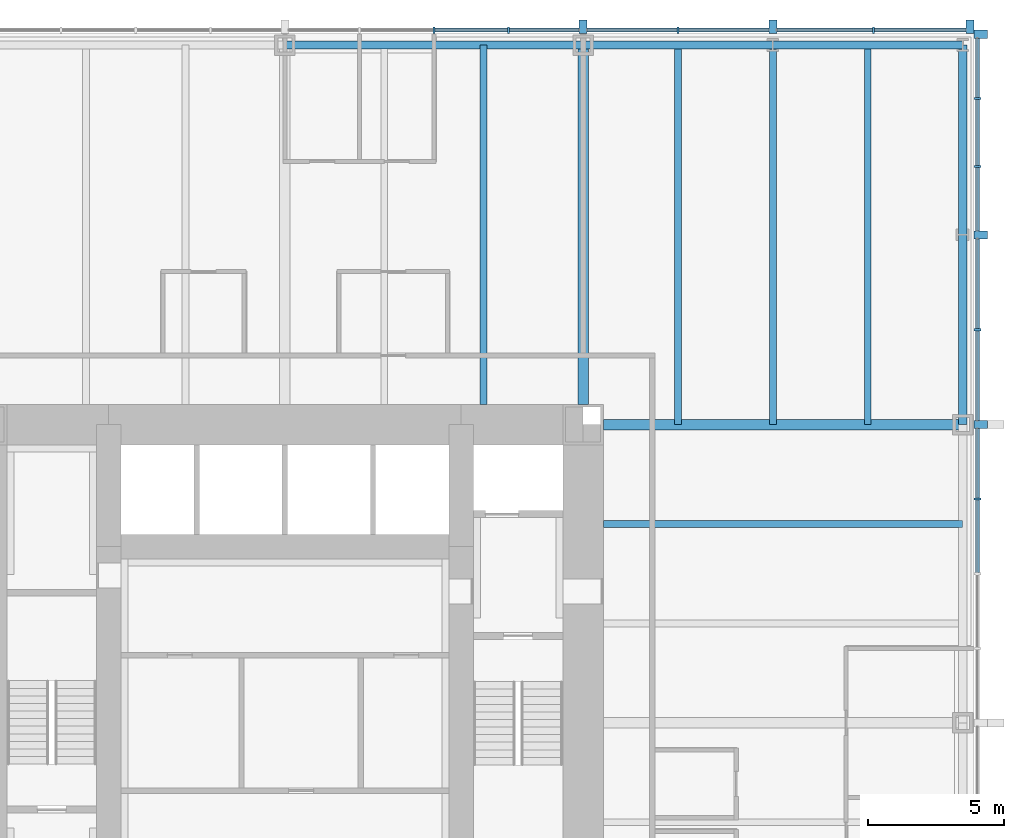
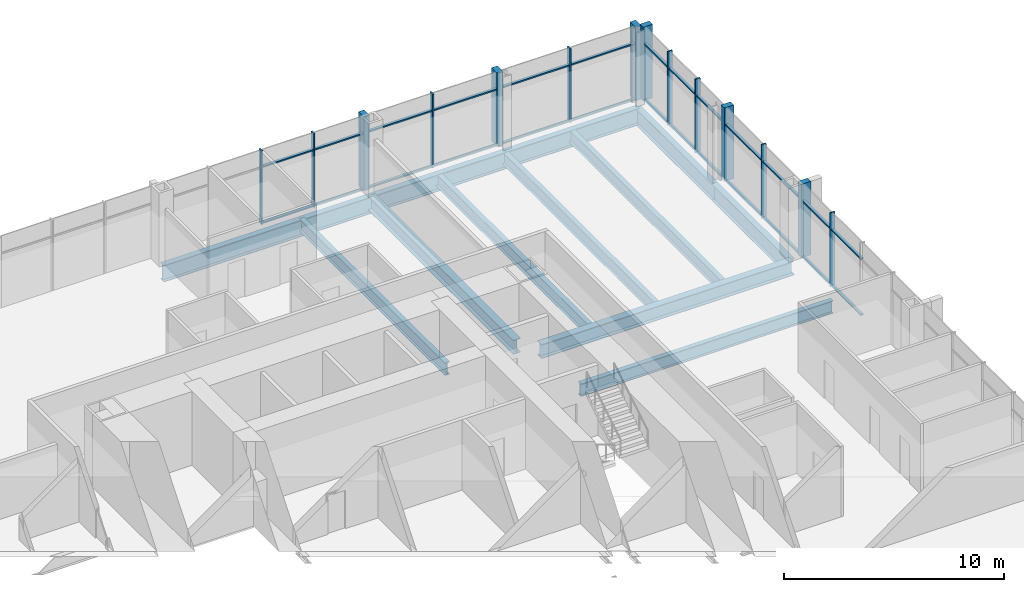
# One storey, part 6 of 12: 40 members, 12 beams, 2 elements without a shape of their own.
"""IFC4 building model written with IfcOpenShell, lengths in metres."""

from ifc_helpers import new_model, si_unit, direction, frame, origin, origin_2d, place, context, subcontext, project, spatial, rectangle, i_section, extrude, material, material_profile, profile_set, type_object, element, aggregate, save


model = new_model("IFC4")

# Units and contexts
model_context = context("Model", 3, precision=1e-05, world=origin(), true_north=direction((0.0, 1.0)))
body_context = subcontext(model_context, "Body", "Model", "MODEL_VIEW")
ifc_project = project(units=[si_unit("LENGTHUNIT", "METRE"), si_unit("AREAUNIT", "SQUARE_METRE"), si_unit("VOLUMEUNIT", "CUBIC_METRE"), si_unit("PLANEANGLEUNIT", "RADIAN"), si_unit("MASSUNIT", "GRAM", prefix="KILO")], contexts=[model_context])

# Site, building, storey
site_placement = place(None, origin())
site = spatial("IfcSite", under=ifc_project, at=site_placement, CompositionType="ELEMENT")
building_placement = place(site_placement, origin())
building = spatial("IfcBuilding", under=site, at=building_placement, Name="Trevanion Tower", CompositionType="ELEMENT")
storey_placement = place(building_placement, frame((0.0, 0.0, 28.300048828125)))
storey = spatial("IfcBuildingStorey", under=building, at=storey_placement, Name="L06", CompositionType="ELEMENT", Elevation=28.300048828125)

# Beams
ifc_material_1 = material(Name="Steel ASTM A992 Grade 50", Category="steel")
ifc_material_profile_1 = material_profile(ifc_material_1, i_section(OverallWidth=0.25390625, OverallDepth=0.700927734375, WebThickness=0.015380859375, FlangeThickness=0.02783203125, at=origin_2d()), Name="W27X129")
ifc_profile_set_1 = profile_set([ifc_material_profile_1], Name="Steel ASTM A992 Grade 50")
beam_type_1 = type_object("IfcBeamType", Name="B3 W27X129", PredefinedType="BEAM", material=ifc_profile_set_1)
for number, where, z_axis, x_axis, name in (
    (1, (11.75, 7.333251953125, -0.54052734375), (1.0, 0.0, 0.0), (0.0, 1.0, 0.0), "B3 L06"),
    (2, (7.333251953125, 11.75, -0.54052734375), (0.0, 1.0, 0.0), (-1.0, 0.0, 0.0), "B3 L06"),
):
    element("IfcBeam", number, at=place(storey_placement, frame(where, z_axis=z_axis, x_axis=x_axis)), inside=storey, type_object=beam_type_1, Name=name, PredefinedType="BEAM", context=body_context, shape_type="SweptSolid", body=[
        extrude(i_section(OverallWidth=0.25390625, OverallDepth=0.700927734375, WebThickness=0.015380859375, FlangeThickness=0.02783203125, at=origin_2d()), origin(), (0.0, 0.0, 1.0), 13.25),
    ])
ifc_material_2 = material(Name="Steel ASTM A992 Grade 50", Category="steel")
ifc_material_profile_2 = material_profile(ifc_material_2, i_section(OverallWidth=0.256591796875, OverallDepth=0.693359375, WebThickness=0.014404296875, FlangeThickness=0.023681640625, at=origin_2d()), Name="W27X114")
ifc_profile_set_2 = profile_set([ifc_material_profile_2], Name="Steel ASTM A992 Grade 50")
beam_type_2 = type_object("IfcBeamType", Name="B4 W27X114", PredefinedType="BEAM", material=ifc_profile_set_2)
for number, where, z_axis, x_axis, name in (
    (3, (14.5, 11.0, -0.536865234375), (0.0, 1.0, 0.0), (-1.0, 0.0, 0.0), "B4 L06"),
    (4, (18.0, 11.0, -0.536865234375), (0.0, 1.0, 0.0), (-1.0, 0.0, 0.0), "B4 L06"),
    (5, (21.5, 11.0, -0.536865234375), (0.0, 1.0, 0.0), (-1.0, 0.0, 0.0), "B4 L06"),
):
    element("IfcBeam", number, at=place(storey_placement, frame(where, z_axis=z_axis, x_axis=x_axis)), inside=storey, type_object=beam_type_2, Name=name, PredefinedType="BEAM", context=body_context, shape_type="SweptSolid", body=[
        extrude(i_section(OverallWidth=0.256591796875, OverallDepth=0.693359375, WebThickness=0.014404296875, FlangeThickness=0.023681640625, at=origin_2d()), origin(), (0.0, 0.0, 1.0), 14.0),
    ])

# Curtain wall, members
ifc_material_3 = material(Name="Aluminium and glass", Category="aluminium")
curtain_wall_type = type_object("IfcCurtainWallType", Name="CW1 curtain wall", PredefinedType="USERDEFINED", material=ifc_material_3)
curtain_wall_1_placement = place(storey_placement, origin())
curtain_wall_1 = element("IfcCurtainWall", 6, at=curtain_wall_1_placement, inside=storey, type_object=curtain_wall_type, Name="CW1 L06 0", ObjectType="UNITISED CURTAIN WALL", PredefinedType="USERDEFINED")
ifc_material_4 = material(Name="Aluminium extrusion, anodised bronze", Category="aluminium")
ifc_material_profile_3 = material_profile(ifc_material_4, rectangle(XDim=0.074951171875, YDim=0.25, at=origin_2d()), Name="CW1 mullion")
ifc_profile_set_3 = profile_set([ifc_material_profile_3], Name="Aluminium extrusion, anodised bronze")
member_type_1 = type_object("IfcMemberType", Name="CW1 mullion", PredefinedType="MULLION", material=ifc_profile_set_3)
member_1_placement = place(storey_placement, frame((25.550048828125, 8.25, -0.18994140625), z_axis=(0.0, 0.0, 1.0), x_axis=(0.0, 1.0, 0.0)))
member_1 = element("IfcMember", 7, at=member_1_placement, type_object=member_type_1, Name="CW1 mullion 12", PredefinedType="MULLION", context=body_context, shape_type="SweptSolid", body=[
    extrude(rectangle(XDim=0.074951171875, YDim=0.25, at=origin_2d()), origin(), (0.0, 0.0, 1.0), 4.099853515625),
])
member_2_placement = place(storey_placement, frame((25.550048828125, 14.5, -0.18994140625), z_axis=(0.0, 0.0, 1.0), x_axis=(0.0, 1.0, 0.0)))
member_2 = element("IfcMember", 8, at=member_2_placement, type_object=member_type_1, Name="CW1 mullion 14", PredefinedType="MULLION", context=body_context, shape_type="SweptSolid", body=[
    extrude(rectangle(XDim=0.074951171875, YDim=0.25, at=origin_2d()), origin(), (0.0, 0.0, 1.0), 4.099853515625),
])
member_3_placement = place(storey_placement, frame((25.550048828125, 20.5166015625, -0.18994140625), z_axis=(0.0, 0.0, 1.0), x_axis=(0.0, 1.0, 0.0)))
member_3 = element("IfcMember", 9, at=member_3_placement, type_object=member_type_1, Name="CW1 mullion 16", PredefinedType="MULLION", context=body_context, shape_type="SweptSolid", body=[
    extrude(rectangle(XDim=0.074951171875, YDim=0.25, at=origin_2d()), origin(), (0.0, 0.0, 1.0), 4.099853515625),
])
member_4_placement = place(storey_placement, frame((25.550048828125, 23.033203125, -0.18994140625), z_axis=(0.0, 0.0, 1.0), x_axis=(0.0, 1.0, 0.0)))
member_4 = element("IfcMember", 10, at=member_4_placement, type_object=member_type_1, Name="CW1 mullion 17", PredefinedType="MULLION", context=body_context, shape_type="SweptSolid", body=[
    extrude(rectangle(XDim=0.074951171875, YDim=0.25, at=origin_2d()), origin(), (0.0, 0.0, 1.0), 4.099853515625),
])

curtain_wall_2_placement = place(storey_placement, origin())
curtain_wall_2 = element("IfcCurtainWall", 11, at=curtain_wall_2_placement, inside=storey, type_object=curtain_wall_type, Name="CW1 L06 1", ObjectType="UNITISED CURTAIN WALL", PredefinedType="USERDEFINED")
member_5_placement = place(storey_placement, frame((21.7099609375, 25.550048828125, -0.18994140625), z_axis=(0.0, 0.0, 1.0), x_axis=(-1.0, 0.0, 0.0)))
member_5 = element("IfcMember", 12, at=member_5_placement, type_object=member_type_1, Name="CW1 mullion 2", PredefinedType="MULLION", context=body_context, shape_type="SweptSolid", body=[
    extrude(rectangle(XDim=0.074951171875, YDim=0.25, at=origin_2d()), origin(), (0.0, 0.0, 1.0), 4.099853515625),
])
member_6_placement = place(storey_placement, frame((14.5, 25.550048828125, -0.18994140625), z_axis=(0.0, 0.0, 1.0), x_axis=(-1.0, 0.0, 0.0)))
member_6 = element("IfcMember", 13, at=member_6_placement, type_object=member_type_1, Name="CW1 mullion 4", PredefinedType="MULLION", context=body_context, shape_type="SweptSolid", body=[
    extrude(rectangle(XDim=0.074951171875, YDim=0.25, at=origin_2d()), origin(), (0.0, 0.0, 1.0), 4.099853515625),
])
member_7_placement = place(storey_placement, frame((8.25, 25.550048828125, -0.18994140625), z_axis=(0.0, 0.0, 1.0), x_axis=(-1.0, 0.0, 0.0)))
member_7 = element("IfcMember", 14, at=member_7_placement, type_object=member_type_1, Name="CW1 mullion 6", PredefinedType="MULLION", context=body_context, shape_type="SweptSolid", body=[
    extrude(rectangle(XDim=0.074951171875, YDim=0.25, at=origin_2d()), origin(), (0.0, 0.0, 1.0), 4.099853515625),
])
member_8_placement = place(storey_placement, frame((5.5, 25.550048828125, -0.18994140625), z_axis=(0.0, 0.0, 1.0), x_axis=(-1.0, 0.0, 0.0)))
member_8 = element("IfcMember", 15, at=member_8_placement, type_object=member_type_1, Name="CW1 mullion 7", PredefinedType="MULLION", context=body_context, shape_type="SweptSolid", body=[
    extrude(rectangle(XDim=0.074951171875, YDim=0.25, at=origin_2d()), origin(), (0.0, 0.0, 1.0), 4.099853515625),
])

# Member
ifc_material_5 = material(Name="Aluminium extrusion, anodised bronze", Category="aluminium")
ifc_material_profile_4 = material_profile(ifc_material_5, rectangle(XDim=0.300048828125, YDim=0.5, at=origin_2d()), Name="CW1 pier mullion")
ifc_profile_set_4 = profile_set([ifc_material_profile_4], Name="Aluminium extrusion, anodised bronze")
member_type_2 = type_object("IfcMemberType", Name="CW1 pier mullion", PredefinedType="MULLION", material=ifc_profile_set_4)
member_9_placement = place(storey_placement, frame((25.675048828125, 11.0, -0.18994140625), z_axis=(0.0, 0.0, 1.0), x_axis=(0.0, 1.0, 0.0)))
member_9 = element("IfcMember", 16, at=member_9_placement, type_object=member_type_2, Name="CW1 pier mullion 13", PredefinedType="MULLION", context=body_context, shape_type="SweptSolid", body=[
    extrude(rectangle(XDim=0.300048828125, YDim=0.5, at=origin_2d()), origin(), (0.0, 0.0, 1.0), 4.099853515625),
])

member_10_placement = place(storey_placement, frame((25.675048828125, 18.0, -0.18994140625), z_axis=(0.0, 0.0, 1.0), x_axis=(0.0, 1.0, 0.0)))
member_10 = element("IfcMember", 17, at=member_10_placement, type_object=member_type_2, Name="CW1 pier mullion 15", PredefinedType="MULLION", context=body_context, shape_type="SweptSolid", body=[
    extrude(rectangle(XDim=0.300048828125, YDim=0.5, at=origin_2d()), origin(), (0.0, 0.0, 1.0), 4.099853515625),
])

member_11_placement = place(storey_placement, frame((25.675048828125, 25.39990234375, -0.18994140625), z_axis=(0.0, 0.0, 1.0), x_axis=(0.0, 1.0, 0.0)))
member_11 = element("IfcMember", 18, at=member_11_placement, type_object=member_type_2, Name="CW1 pier mullion 18", PredefinedType="MULLION", context=body_context, shape_type="SweptSolid", body=[
    extrude(rectangle(XDim=0.300048828125, YDim=0.5, at=origin_2d()), origin(), (0.0, 0.0, 1.0), 4.099853515625),
])

member_12_placement = place(storey_placement, frame((25.27001953125, 25.675048828125, -0.18994140625), z_axis=(0.0, 0.0, 1.0), x_axis=(-1.0, 0.0, 0.0)))
member_12 = element("IfcMember", 19, at=member_12_placement, type_object=member_type_2, Name="CW1 pier mullion 1", PredefinedType="MULLION", context=body_context, shape_type="SweptSolid", body=[
    extrude(rectangle(XDim=0.300048828125, YDim=0.5, at=origin_2d()), origin(), (0.0, 0.0, 1.0), 4.099853515625),
])

member_13_placement = place(storey_placement, frame((18.0, 25.675048828125, -0.18994140625), z_axis=(0.0, 0.0, 1.0), x_axis=(-1.0, 0.0, 0.0)))
member_13 = element("IfcMember", 20, at=member_13_placement, type_object=member_type_2, Name="CW1 pier mullion 3", PredefinedType="MULLION", context=body_context, shape_type="SweptSolid", body=[
    extrude(rectangle(XDim=0.300048828125, YDim=0.5, at=origin_2d()), origin(), (0.0, 0.0, 1.0), 4.099853515625),
])

member_14_placement = place(storey_placement, frame((11.0, 25.675048828125, -0.18994140625), z_axis=(0.0, 0.0, 1.0), x_axis=(-1.0, 0.0, 0.0)))
member_14 = element("IfcMember", 21, at=member_14_placement, type_object=member_type_2, Name="CW1 pier mullion 5", PredefinedType="MULLION", context=body_context, shape_type="SweptSolid", body=[
    extrude(rectangle(XDim=0.300048828125, YDim=0.5, at=origin_2d()), origin(), (0.0, 0.0, 1.0), 4.099853515625),
])

ifc_material_6 = material(Name="Aluminium extrusion, anodised bronze", Category="aluminium")
ifc_material_profile_5 = material_profile(ifc_material_6, rectangle(XDim=0.14990234375, YDim=0.074951171875, at=origin_2d()), Name="CW1 transom")
ifc_profile_set_5 = profile_set([ifc_material_profile_5], Name="Aluminium extrusion, anodised bronze")
member_type_3 = type_object("IfcMemberType", Name="CW1 transom", PredefinedType="USERDEFINED", material=ifc_profile_set_5)
member_15_placement = place(storey_placement, frame((25.550048828125, 5.53759765625, -0.152587890625), z_axis=(0.0, 1.0, 0.0), x_axis=(-1.0, 0.0, 0.0)))
member_15 = element("IfcMember", 22, at=member_15_placement, type_object=member_type_3, Name="CW1 transom 11.1", ObjectType="TRANSOM", PredefinedType="USERDEFINED", context=body_context, shape_type="SweptSolid", body=[
    extrude(rectangle(XDim=0.14990234375, YDim=0.074951171875, at=origin_2d()), origin(), (0.0, 0.0, 1.0), 2.6748046875),
])

member_16_placement = place(storey_placement, frame((25.550048828125, 5.53759765625, 2.9599609375), z_axis=(0.0, 1.0, 0.0), x_axis=(-1.0, 0.0, 0.0)))
member_16 = element("IfcMember", 23, at=member_16_placement, type_object=member_type_3, Name="CW1 transom 11.2", ObjectType="TRANSOM", PredefinedType="USERDEFINED", context=body_context, shape_type="SweptSolid", body=[
    extrude(rectangle(XDim=0.14990234375, YDim=0.074951171875, at=origin_2d()), origin(), (0.0, 0.0, 1.0), 2.6748046875),
])

member_17_placement = place(storey_placement, frame((25.550048828125, 8.28759765625, -0.152587890625), z_axis=(0.0, 1.0, 0.0), x_axis=(-1.0, 0.0, 0.0)))
member_17 = element("IfcMember", 24, at=member_17_placement, type_object=member_type_3, Name="CW1 transom 12.1", ObjectType="TRANSOM", PredefinedType="USERDEFINED", context=body_context, shape_type="SweptSolid", body=[
    extrude(rectangle(XDim=0.14990234375, YDim=0.074951171875, at=origin_2d()), origin(), (0.0, 0.0, 1.0), 2.5625),
])

member_18_placement = place(storey_placement, frame((25.550048828125, 8.28759765625, 2.9599609375), z_axis=(0.0, 1.0, 0.0), x_axis=(-1.0, 0.0, 0.0)))
member_18 = element("IfcMember", 25, at=member_18_placement, type_object=member_type_3, Name="CW1 transom 12.2", ObjectType="TRANSOM", PredefinedType="USERDEFINED", context=body_context, shape_type="SweptSolid", body=[
    extrude(rectangle(XDim=0.14990234375, YDim=0.074951171875, at=origin_2d()), origin(), (0.0, 0.0, 1.0), 2.5625),
])

member_19_placement = place(storey_placement, frame((25.550048828125, 11.14990234375, -0.152587890625), z_axis=(0.0, 1.0, 0.0), x_axis=(-1.0, 0.0, 0.0)))
member_19 = element("IfcMember", 26, at=member_19_placement, type_object=member_type_3, Name="CW1 transom 13.1", ObjectType="TRANSOM", PredefinedType="USERDEFINED", context=body_context, shape_type="SweptSolid", body=[
    extrude(rectangle(XDim=0.14990234375, YDim=0.074951171875, at=origin_2d()), origin(), (0.0, 0.0, 1.0), 3.3125),
])

member_20_placement = place(storey_placement, frame((25.550048828125, 11.14990234375, 2.9599609375), z_axis=(0.0, 1.0, 0.0), x_axis=(-1.0, 0.0, 0.0)))
member_20 = element("IfcMember", 27, at=member_20_placement, type_object=member_type_3, Name="CW1 transom 13.2", ObjectType="TRANSOM", PredefinedType="USERDEFINED", context=body_context, shape_type="SweptSolid", body=[
    extrude(rectangle(XDim=0.14990234375, YDim=0.074951171875, at=origin_2d()), origin(), (0.0, 0.0, 1.0), 3.3125),
])

member_21_placement = place(storey_placement, frame((25.550048828125, 14.53759765625, -0.152587890625), z_axis=(0.0, 1.0, 0.0), x_axis=(-1.0, 0.0, 0.0)))
member_21 = element("IfcMember", 28, at=member_21_placement, type_object=member_type_3, Name="CW1 transom 14.1", ObjectType="TRANSOM", PredefinedType="USERDEFINED", context=body_context, shape_type="SweptSolid", body=[
    extrude(rectangle(XDim=0.14990234375, YDim=0.074951171875, at=origin_2d()), origin(), (0.0, 0.0, 1.0), 3.3125),
])

member_22_placement = place(storey_placement, frame((25.550048828125, 14.53759765625, 2.9599609375), z_axis=(0.0, 1.0, 0.0), x_axis=(-1.0, 0.0, 0.0)))
member_22 = element("IfcMember", 29, at=member_22_placement, type_object=member_type_3, Name="CW1 transom 14.2", ObjectType="TRANSOM", PredefinedType="USERDEFINED", context=body_context, shape_type="SweptSolid", body=[
    extrude(rectangle(XDim=0.14990234375, YDim=0.074951171875, at=origin_2d()), origin(), (0.0, 0.0, 1.0), 3.3125),
])

member_23_placement = place(storey_placement, frame((25.550048828125, 18.14990234375, -0.152587890625), z_axis=(0.0, 1.0, 0.0), x_axis=(-1.0, 0.0, 0.0)))
member_23 = element("IfcMember", 30, at=member_23_placement, type_object=member_type_3, Name="CW1 transom 15.1", ObjectType="TRANSOM", PredefinedType="USERDEFINED", context=body_context, shape_type="SweptSolid", body=[
    extrude(rectangle(XDim=0.14990234375, YDim=0.074951171875, at=origin_2d()), origin(), (0.0, 0.0, 1.0), 2.329345703125),
])

member_24_placement = place(storey_placement, frame((25.550048828125, 18.14990234375, 2.9599609375), z_axis=(0.0, 1.0, 0.0), x_axis=(-1.0, 0.0, 0.0)))
member_24 = element("IfcMember", 31, at=member_24_placement, type_object=member_type_3, Name="CW1 transom 15.2", ObjectType="TRANSOM", PredefinedType="USERDEFINED", context=body_context, shape_type="SweptSolid", body=[
    extrude(rectangle(XDim=0.14990234375, YDim=0.074951171875, at=origin_2d()), origin(), (0.0, 0.0, 1.0), 2.329345703125),
])

member_25_placement = place(storey_placement, frame((25.550048828125, 20.55419921875, -0.152587890625), z_axis=(0.0, 1.0, 0.0), x_axis=(-1.0, 0.0, 0.0)))
member_25 = element("IfcMember", 32, at=member_25_placement, type_object=member_type_3, Name="CW1 transom 16.1", ObjectType="TRANSOM", PredefinedType="USERDEFINED", context=body_context, shape_type="SweptSolid", body=[
    extrude(rectangle(XDim=0.14990234375, YDim=0.074951171875, at=origin_2d()), origin(), (0.0, 0.0, 1.0), 2.441650390625),
])

member_26_placement = place(storey_placement, frame((25.550048828125, 20.55419921875, 2.9599609375), z_axis=(0.0, 1.0, 0.0), x_axis=(-1.0, 0.0, 0.0)))
member_26 = element("IfcMember", 33, at=member_26_placement, type_object=member_type_3, Name="CW1 transom 16.2", ObjectType="TRANSOM", PredefinedType="USERDEFINED", context=body_context, shape_type="SweptSolid", body=[
    extrude(rectangle(XDim=0.14990234375, YDim=0.074951171875, at=origin_2d()), origin(), (0.0, 0.0, 1.0), 2.441650390625),
])

member_27_placement = place(storey_placement, frame((25.550048828125, 23.07080078125, -0.152587890625), z_axis=(0.0, 1.0, 0.0), x_axis=(-1.0, 0.0, 0.0)))
member_27 = element("IfcMember", 34, at=member_27_placement, type_object=member_type_3, Name="CW1 transom 17.1", ObjectType="TRANSOM", PredefinedType="USERDEFINED", context=body_context, shape_type="SweptSolid", body=[
    extrude(rectangle(XDim=0.14990234375, YDim=0.074951171875, at=origin_2d()), origin(), (0.0, 0.0, 1.0), 2.17919921875),
])

member_28_placement = place(storey_placement, frame((25.550048828125, 23.07080078125, 2.9599609375), z_axis=(0.0, 1.0, 0.0), x_axis=(-1.0, 0.0, 0.0)))
member_28 = element("IfcMember", 35, at=member_28_placement, type_object=member_type_3, Name="CW1 transom 17.2", ObjectType="TRANSOM", PredefinedType="USERDEFINED", context=body_context, shape_type="SweptSolid", body=[
    extrude(rectangle(XDim=0.14990234375, YDim=0.074951171875, at=origin_2d()), origin(), (0.0, 0.0, 1.0), 2.17919921875),
])

aggregate(curtain_wall_1, [member_1, member_9, member_2, member_10, member_3, member_4, member_11, member_15, member_16, member_17, member_18, member_19, member_20, member_21, member_22, member_23, member_24, member_25, member_26, member_27, member_28])

member_29_placement = place(storey_placement, frame((25.1201171875, 25.550048828125, -0.152587890625), z_axis=(-1.0, 0.0, 0.0), x_axis=(0.0, -1.0, 0.0)))
member_29 = element("IfcMember", 36, at=member_29_placement, type_object=member_type_3, Name="CW1 transom 1.1", ObjectType="TRANSOM", PredefinedType="USERDEFINED", context=body_context, shape_type="SweptSolid", body=[
    extrude(rectangle(XDim=0.14990234375, YDim=0.074951171875, at=origin_2d()), origin(), (0.0, 0.0, 1.0), 3.37255859375),
])

member_30_placement = place(storey_placement, frame((25.1201171875, 25.550048828125, 2.9599609375), z_axis=(-1.0, 0.0, 0.0), x_axis=(0.0, -1.0, 0.0)))
member_30 = element("IfcMember", 37, at=member_30_placement, type_object=member_type_3, Name="CW1 transom 1.2", ObjectType="TRANSOM", PredefinedType="USERDEFINED", context=body_context, shape_type="SweptSolid", body=[
    extrude(rectangle(XDim=0.14990234375, YDim=0.074951171875, at=origin_2d()), origin(), (0.0, 0.0, 1.0), 3.37255859375),
])

member_31_placement = place(storey_placement, frame((21.672607421875, 25.550048828125, -0.152587890625), z_axis=(-1.0, 0.0, 0.0), x_axis=(0.0, -1.0, 0.0)))
member_31 = element("IfcMember", 38, at=member_31_placement, type_object=member_type_3, Name="CW1 transom 2.1", ObjectType="TRANSOM", PredefinedType="USERDEFINED", context=body_context, shape_type="SweptSolid", body=[
    extrude(rectangle(XDim=0.14990234375, YDim=0.074951171875, at=origin_2d()), origin(), (0.0, 0.0, 1.0), 3.522705078125),
])

member_32_placement = place(storey_placement, frame((21.672607421875, 25.550048828125, 2.9599609375), z_axis=(-1.0, 0.0, 0.0), x_axis=(0.0, -1.0, 0.0)))
member_32 = element("IfcMember", 39, at=member_32_placement, type_object=member_type_3, Name="CW1 transom 2.2", ObjectType="TRANSOM", PredefinedType="USERDEFINED", context=body_context, shape_type="SweptSolid", body=[
    extrude(rectangle(XDim=0.14990234375, YDim=0.074951171875, at=origin_2d()), origin(), (0.0, 0.0, 1.0), 3.522705078125),
])

member_33_placement = place(storey_placement, frame((17.85009765625, 25.550048828125, -0.152587890625), z_axis=(-1.0, 0.0, 0.0), x_axis=(0.0, -1.0, 0.0)))
member_33 = element("IfcMember", 40, at=member_33_placement, type_object=member_type_3, Name="CW1 transom 3.1", ObjectType="TRANSOM", PredefinedType="USERDEFINED", context=body_context, shape_type="SweptSolid", body=[
    extrude(rectangle(XDim=0.14990234375, YDim=0.074951171875, at=origin_2d()), origin(), (0.0, 0.0, 1.0), 3.3125),
])

member_34_placement = place(storey_placement, frame((17.85009765625, 25.550048828125, 2.9599609375), z_axis=(-1.0, 0.0, 0.0), x_axis=(0.0, -1.0, 0.0)))
member_34 = element("IfcMember", 41, at=member_34_placement, type_object=member_type_3, Name="CW1 transom 3.2", ObjectType="TRANSOM", PredefinedType="USERDEFINED", context=body_context, shape_type="SweptSolid", body=[
    extrude(rectangle(XDim=0.14990234375, YDim=0.074951171875, at=origin_2d()), origin(), (0.0, 0.0, 1.0), 3.3125),
])

member_35_placement = place(storey_placement, frame((14.46240234375, 25.550048828125, -0.152587890625), z_axis=(-1.0, 0.0, 0.0), x_axis=(0.0, -1.0, 0.0)))
member_35 = element("IfcMember", 42, at=member_35_placement, type_object=member_type_3, Name="CW1 transom 4.1", ObjectType="TRANSOM", PredefinedType="USERDEFINED", context=body_context, shape_type="SweptSolid", body=[
    extrude(rectangle(XDim=0.14990234375, YDim=0.074951171875, at=origin_2d()), origin(), (0.0, 0.0, 1.0), 3.3125),
])

member_36_placement = place(storey_placement, frame((14.46240234375, 25.550048828125, 2.9599609375), z_axis=(-1.0, 0.0, 0.0), x_axis=(0.0, -1.0, 0.0)))
member_36 = element("IfcMember", 43, at=member_36_placement, type_object=member_type_3, Name="CW1 transom 4.2", ObjectType="TRANSOM", PredefinedType="USERDEFINED", context=body_context, shape_type="SweptSolid", body=[
    extrude(rectangle(XDim=0.14990234375, YDim=0.074951171875, at=origin_2d()), origin(), (0.0, 0.0, 1.0), 3.3125),
])

member_37_placement = place(storey_placement, frame((10.85009765625, 25.550048828125, -0.152587890625), z_axis=(-1.0, 0.0, 0.0), x_axis=(0.0, -1.0, 0.0)))
member_37 = element("IfcMember", 44, at=member_37_placement, type_object=member_type_3, Name="CW1 transom 5.1", ObjectType="TRANSOM", PredefinedType="USERDEFINED", context=body_context, shape_type="SweptSolid", body=[
    extrude(rectangle(XDim=0.14990234375, YDim=0.074951171875, at=origin_2d()), origin(), (0.0, 0.0, 1.0), 2.5625),
])

member_38_placement = place(storey_placement, frame((10.85009765625, 25.550048828125, 2.9599609375), z_axis=(-1.0, 0.0, 0.0), x_axis=(0.0, -1.0, 0.0)))
member_38 = element("IfcMember", 45, at=member_38_placement, type_object=member_type_3, Name="CW1 transom 5.2", ObjectType="TRANSOM", PredefinedType="USERDEFINED", context=body_context, shape_type="SweptSolid", body=[
    extrude(rectangle(XDim=0.14990234375, YDim=0.074951171875, at=origin_2d()), origin(), (0.0, 0.0, 1.0), 2.5625),
])

member_39_placement = place(storey_placement, frame((8.21240234375, 25.550048828125, -0.152587890625), z_axis=(-1.0, 0.0, 0.0), x_axis=(0.0, -1.0, 0.0)))
member_39 = element("IfcMember", 46, at=member_39_placement, type_object=member_type_3, Name="CW1 transom 6.1", ObjectType="TRANSOM", PredefinedType="USERDEFINED", context=body_context, shape_type="SweptSolid", body=[
    extrude(rectangle(XDim=0.14990234375, YDim=0.074951171875, at=origin_2d()), origin(), (0.0, 0.0, 1.0), 2.6748046875),
])

member_40_placement = place(storey_placement, frame((8.21240234375, 25.550048828125, 2.9599609375), z_axis=(-1.0, 0.0, 0.0), x_axis=(0.0, -1.0, 0.0)))
member_40 = element("IfcMember", 47, at=member_40_placement, type_object=member_type_3, Name="CW1 transom 6.2", ObjectType="TRANSOM", PredefinedType="USERDEFINED", context=body_context, shape_type="SweptSolid", body=[
    extrude(rectangle(XDim=0.14990234375, YDim=0.074951171875, at=origin_2d()), origin(), (0.0, 0.0, 1.0), 2.6748046875),
])

aggregate(curtain_wall_2, [member_12, member_5, member_13, member_6, member_14, member_7, member_8, member_29, member_30, member_31, member_32, member_33, member_34, member_35, member_36, member_37, member_38, member_39, member_40])

# Beams
ifc_material_7 = material(Name="Steel ASTM A992 Grade 50", Category="steel")
ifc_material_profile_6 = material_profile(ifc_material_7, i_section(OverallWidth=0.381103515625, OverallDepth=0.77978515625, WebThickness=0.01806640625, FlangeThickness=0.0302734375, at=origin_2d()), Name="W30X191")
ifc_profile_set_6 = profile_set([ifc_material_profile_6], Name="Steel ASTM A992 Grade 50")
beam_type_3 = type_object("IfcBeamType", Name="G2 W30X191", PredefinedType="BEAM", material=ifc_profile_set_6)
for number, where, z_axis, x_axis, name in (
    (48, (11.75, 11.0, -0.579833984375), (1.0, 0.0, 0.0), (0.0, 1.0, 0.0), "G2 L06"),
    (49, (11.0, 11.75, -0.579833984375), (0.0, 1.0, 0.0), (-1.0, 0.0, 0.0), "G2 L06"),
):
    element("IfcBeam", number, at=place(storey_placement, frame(where, z_axis=z_axis, x_axis=x_axis)), inside=storey, type_object=beam_type_3, Name=name, PredefinedType="BEAM", context=body_context, shape_type="SweptSolid", body=[
        extrude(i_section(OverallWidth=0.381103515625, OverallDepth=0.77978515625, WebThickness=0.01806640625, FlangeThickness=0.0302734375, at=origin_2d()), origin(), (0.0, 0.0, 1.0), 13.25),
    ])
ifc_material_8 = material(Name="Steel ASTM A992 Grade 50", Category="steel")
ifc_material_profile_7 = material_profile(ifc_material_8, i_section(OverallWidth=0.307373046875, OverallDepth=0.927001953125, WebThickness=0.01953125, FlangeThickness=0.031982421875, at=origin_2d()), Name="W36X194")
ifc_profile_set_7 = profile_set([ifc_material_profile_7], Name="Steel ASTM A992 Grade 50")
beam_type_4 = type_object("IfcBeamType", Name="SB2 W36X194", PredefinedType="SPANDREL", material=ifc_profile_set_7)
for number, where, z_axis, x_axis, name in (
    (50, (25.0, 11.0, -0.653564453125), (0.0, 1.0, 0.0), (-1.0, 0.0, 0.0), "SB2 L06"),
    (51, (25.0, 18.0, -0.653564453125), (0.0, 1.0, 0.0), (-1.0, 0.0, 0.0), "SB2 L06"),
    (52, (25.0, 25.0, -0.653564453125), (-1.0, 0.0, 0.0), (0.0, -1.0, 0.0), "SB2 L06"),
    (53, (18.0, 25.0, -0.653564453125), (-1.0, 0.0, 0.0), (0.0, -1.0, 0.0), "SB2 L06"),
):
    element("IfcBeam", number, at=place(storey_placement, frame(where, z_axis=z_axis, x_axis=x_axis)), inside=storey, type_object=beam_type_4, Name=name, PredefinedType="SPANDREL", context=body_context, shape_type="SweptSolid", body=[
        extrude(i_section(OverallWidth=0.307373046875, OverallDepth=0.927001953125, WebThickness=0.01953125, FlangeThickness=0.031982421875, at=origin_2d()), origin(), (0.0, 0.0, 1.0), 7.0),
    ])
beam_placement = place(storey_placement, frame((11.0, 25.0, -0.653564453125), z_axis=(-1.0, 0.0, 0.0), x_axis=(0.0, -1.0, 0.0)))
element("IfcBeam", 54, at=beam_placement, inside=storey, type_object=beam_type_4, Name="SB2 L06", PredefinedType="SPANDREL", context=body_context, shape_type="SweptSolid", body=[
    extrude(i_section(OverallWidth=0.307373046875, OverallDepth=0.927001953125, WebThickness=0.01953125, FlangeThickness=0.031982421875, at=origin_2d()), origin(), (0.0, 0.0, 1.0), 11.0),
])

save(model, "model.ifc")
